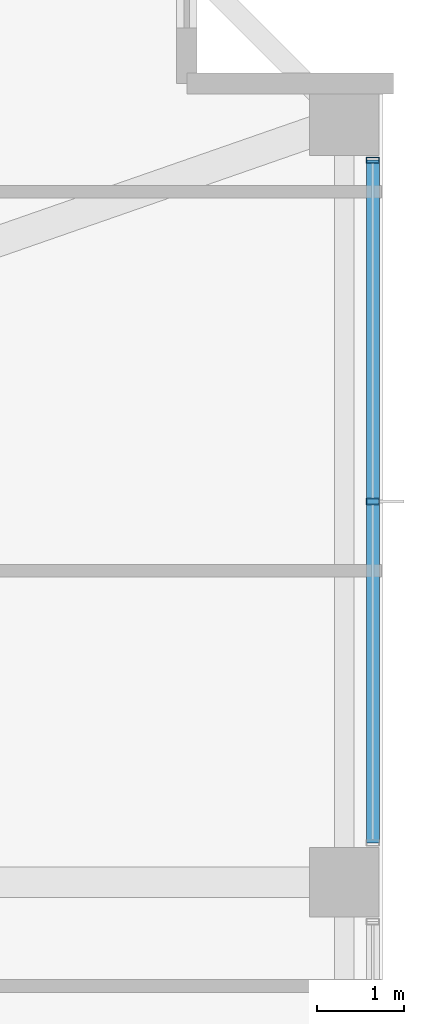
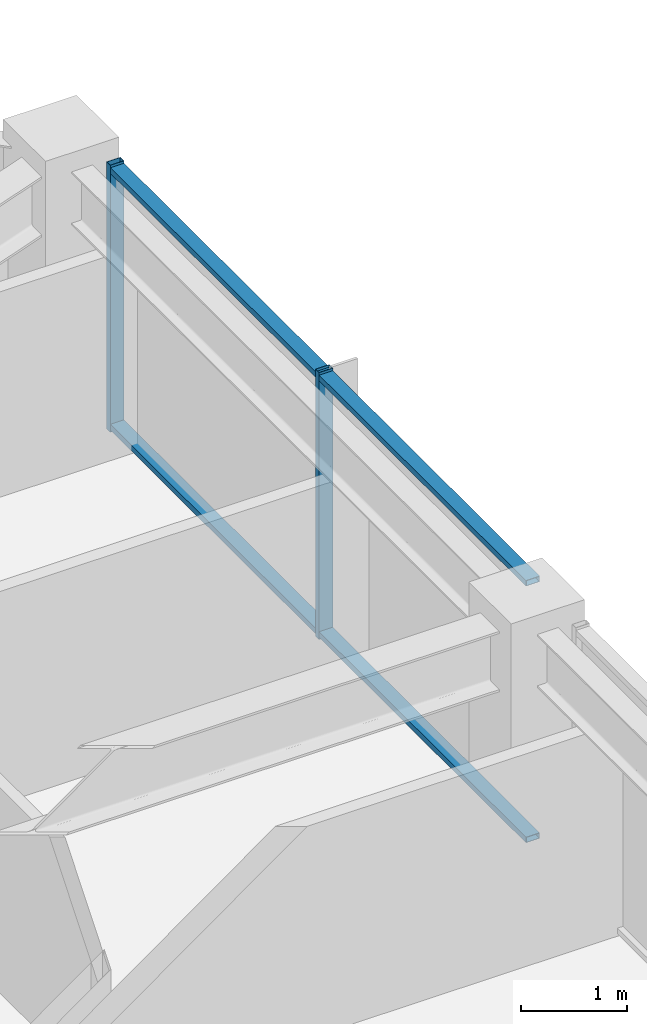
# One storey, part 21 of 36: 4 members, 1 element without a shape of its own.
"""IFC4 building model written with IfcOpenShell, lengths in metres."""

from ifc_helpers import new_model, si_unit, direction, frame, origin, origin_2d, place, context, subcontext, project, spatial, hollow_rectangle, extrude, material, material_profile, profile_set, type_object, element, aggregate, save


model = new_model("IFC4")

# Units and contexts
model_context = context("Model", 3, precision=1e-05, world=origin(), true_north=direction((0.0, 1.0)))
body_context = subcontext(model_context, "Body", "Model", "MODEL_VIEW")
ifc_project = project(units=[si_unit("LENGTHUNIT", "METRE"), si_unit("AREAUNIT", "SQUARE_METRE"), si_unit("VOLUMEUNIT", "CUBIC_METRE"), si_unit("PLANEANGLEUNIT", "RADIAN"), si_unit("MASSUNIT", "GRAM", prefix="KILO")], contexts=[model_context])

# Site, building, storey
site_placement = place(None, origin())
site = spatial("IfcSite", under=ifc_project, at=site_placement, CompositionType="ELEMENT")
building_placement = place(site_placement, origin())
building = spatial("IfcBuilding", under=site, at=building_placement, Name="Kolvaren Belvedere", CompositionType="ELEMENT")
storey_placement = place(building_placement, frame((0.0, 0.0, 199.800048828125)))
storey = spatial("IfcBuildingStorey", under=building, at=storey_placement, Name="L58", CompositionType="ELEMENT", Elevation=199.800048828125)

# Curtain wall, members
ifc_material_1 = material(Name="Anodised pale-metal aluminium AA 6063-T6", Category="aluminium")
curtain_wall_type = type_object("IfcCurtainWallType", Name="CW-Z5-HIGH", PredefinedType="NOTDEFINED", material=ifc_material_1)
curtain_wall_placement = place(storey_placement, origin())
curtain_wall = element("IfcCurtainWall", 1, at=curtain_wall_placement, inside=storey, type_object=curtain_wall_type, Name="L58 Unitised Curtain Wall FCW-L58-E-B1", PredefinedType="NOTDEFINED")
ifc_material_2 = material(Name="Anodised pale-metal aluminium AA 6063-T6", Category="aluminium")
ifc_material_profile_1 = material_profile(ifc_material_2, hollow_rectangle(XDim=0.070068359375, YDim=0.14990234375, WallThickness=0.004150390625, at=origin_2d()), Name="ALU-MUL-150X70")
ifc_profile_set_1 = profile_set([ifc_material_profile_1], Name="Anodised pale-metal aluminium AA 6063-T6")
member_type_1 = type_object("IfcMemberType", Name="CW-MUL-150", PredefinedType="MULLION", material=ifc_profile_set_1)
member_1_placement = place(storey_placement, frame((20.280029296875, 12.945068359375, 0.0), z_axis=(0.0, 0.0, 1.0), x_axis=(0.0, 1.0, 0.0)))
member_1 = element("IfcMember", 2, at=member_1_placement, type_object=member_type_1, Name="FCW-L58-E-B1 Unitised Mullion 1", PredefinedType="MULLION", context=body_context, shape_type="SweptSolid", body=[
    extrude(hollow_rectangle(XDim=0.070068359375, YDim=0.14990234375, WallThickness=0.004150390625, at=origin_2d()), origin(), (0.0, 0.0, 1.0), 3.079833984375),
])
member_2_placement = place(storey_placement, frame((20.280029296875, 9.0, 0.0), z_axis=(0.0, 0.0, 1.0), x_axis=(0.0, 1.0, 0.0)))
member_2 = element("IfcMember", 3, at=member_2_placement, type_object=member_type_1, Name="FCW-L58-E-B1 Unitised Mullion 2", PredefinedType="MULLION", context=body_context, shape_type="SweptSolid", body=[
    extrude(hollow_rectangle(XDim=0.070068359375, YDim=0.14990234375, WallThickness=0.004150390625, at=origin_2d()), origin(), (0.0, 0.0, 1.0), 3.079833984375),
])
ifc_material_3 = material(Name="Anodised pale-metal aluminium AA 6063-T6", Category="aluminium")
ifc_material_profile_2 = material_profile(ifc_material_3, hollow_rectangle(XDim=0.06494140625, YDim=0.14990234375, WallThickness=0.00390625, at=origin_2d()), Name="ALU-TRN-150X65")
ifc_profile_set_2 = profile_set([ifc_material_profile_2], Name="Anodised pale-metal aluminium AA 6063-T6")
member_type_2 = type_object("IfcMemberType", Name="CW-TRN-150", PredefinedType="USERDEFINED", material=ifc_profile_set_2)
member_3_placement = place(storey_placement, frame((20.280029296875, 12.945068359375, 0.06005859375), z_axis=(0.0, -1.0, 0.0), x_axis=(0.0, 0.0, 1.0)))
member_3 = element("IfcMember", 4, at=member_3_placement, type_object=member_type_2, Name="FCW-L58-E-B1 Sill Transom", ObjectType="TRANSOM", PredefinedType="USERDEFINED", context=body_context, shape_type="SweptSolid", body=[
    extrude(hollow_rectangle(XDim=0.06494140625, YDim=0.14990234375, WallThickness=0.00390625, at=origin_2d()), origin(), (0.0, 0.0, 1.0), 7.89013671875),
])
member_4_placement = place(storey_placement, frame((20.280029296875, 12.945068359375, 3.02001953125), z_axis=(0.0, -1.0, 0.0), x_axis=(0.0, 0.0, 1.0)))
member_4 = element("IfcMember", 5, at=member_4_placement, type_object=member_type_2, Name="FCW-L58-E-B1 Head Transom", ObjectType="TRANSOM", PredefinedType="USERDEFINED", context=body_context, shape_type="SweptSolid", body=[
    extrude(hollow_rectangle(XDim=0.06494140625, YDim=0.14990234375, WallThickness=0.00390625, at=origin_2d()), origin(), (0.0, 0.0, 1.0), 7.89013671875),
])
aggregate(curtain_wall, [member_1, member_2, member_3, member_4])

save(model, "model.ifc")
